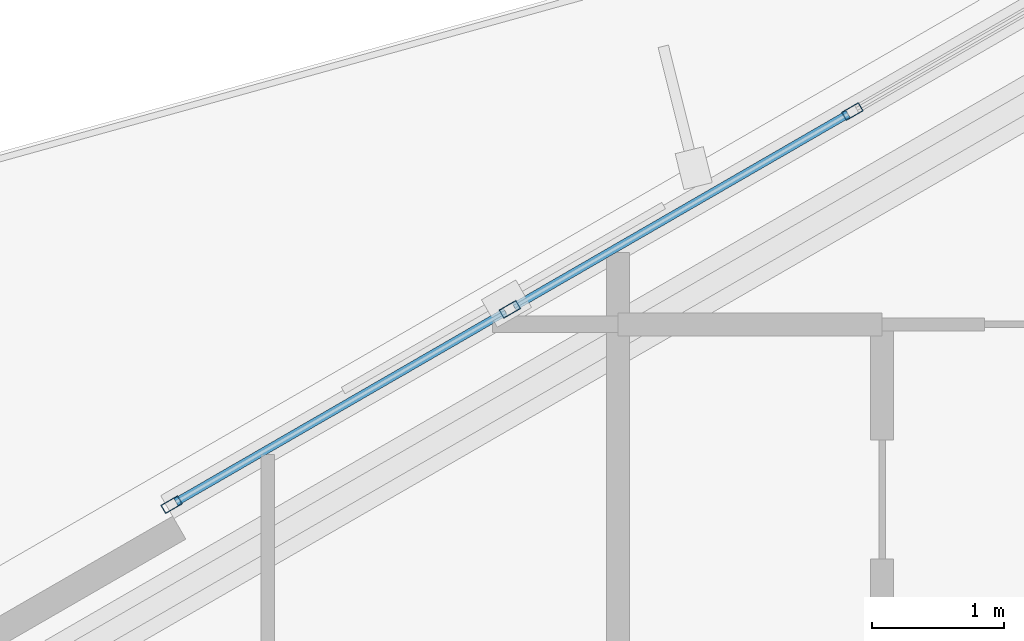
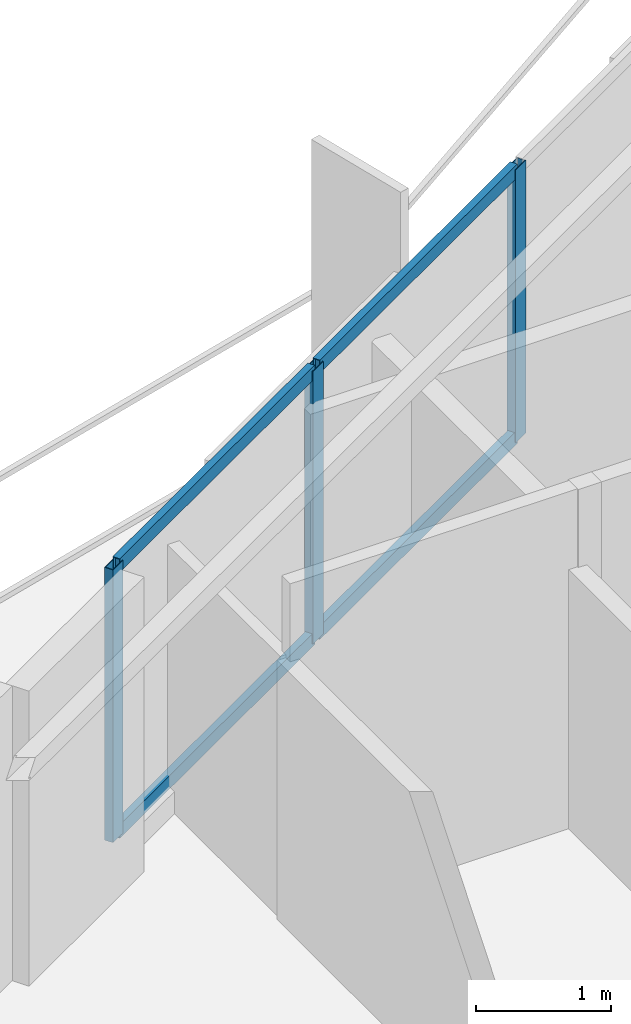
# One storey, part 7 of 19: 7 members, 1 element without a shape of its own.
"""IFC4 building model written with IfcOpenShell, lengths in metres."""

from ifc_helpers import new_model, si_unit, direction, frame, origin, origin_2d, place, context, subcontext, project, spatial, hollow_rectangle, extrude, material, layer, layer_set, material_profile, profile_set, type_object, element, aggregate, save


model = new_model("IFC4")

# Units and contexts
model_context = context("Model", 3, precision=1e-05, world=origin(), true_north=direction((0.0, 1.0)))
body_context = subcontext(model_context, "Body", "Model", "MODEL_VIEW")
ifc_project = project(units=[si_unit("LENGTHUNIT", "METRE"), si_unit("AREAUNIT", "SQUARE_METRE"), si_unit("VOLUMEUNIT", "CUBIC_METRE"), si_unit("PLANEANGLEUNIT", "RADIAN"), si_unit("MASSUNIT", "GRAM", prefix="KILO")], contexts=[model_context])

# Site, building, storey
site_placement = place(None, origin())
site = spatial("IfcSite", under=ifc_project, at=site_placement, CompositionType="ELEMENT")
building_placement = place(site_placement, origin())
building = spatial("IfcBuilding", under=site, at=building_placement, Name="Mersakhor Tower and Convention Hall", CompositionType="ELEMENT")
storey_placement = place(building_placement, frame((0.0, 0.0, 42.300048828125)))
storey = spatial("IfcBuildingStorey", under=building, at=storey_placement, Name="L11", CompositionType="ELEMENT", Elevation=42.300048828125)

# Curtain wall, members
ifc_material_1 = material(Name="Dark solar low-E aluminium curtain wall", Category="aluminium")
ifc_layer = layer(ifc_material_1, 0.159912109375)
ifc_layer_set = layer_set([ifc_layer], Name="Dark solar low-E aluminium curtain wall")
curtain_wall_type = type_object("IfcCurtainWallType", Name="CW-SYS-01", PredefinedType="USERDEFINED", material=ifc_layer_set)
curtain_wall_placement = place(storey_placement, origin())
curtain_wall = element("IfcCurtainWall", 1, at=curtain_wall_placement, inside=storey, type_object=curtain_wall_type, Name="L11 Dark-Glass Curtain Wall F1-B2", ObjectType="CURTAIN WALL", PredefinedType="USERDEFINED")
ifc_material_2 = material(Name="Anodised aluminium EN AW-6063 T6", Category="aluminium")
ifc_material_profile_1 = material_profile(ifc_material_2, hollow_rectangle(XDim=0.074951171875, YDim=0.14990234375, WallThickness=0.00634765625, at=origin_2d()), Name="RHS 150x75x6.3")
ifc_profile_set_1 = profile_set([ifc_material_profile_1], Name="Anodised aluminium EN AW-6063 T6")
member_type_1 = type_object("IfcMemberType", Name="CWM-150x75", PredefinedType="MULLION", material=ifc_profile_set_1)
member_1_placement = place(storey_placement, frame((16.423095703125, 36.635986328125, 0.199951171875), z_axis=(0.0, 0.0, 1.0), x_axis=(-0.50000344889, 0.866023412558, 0.0)))
member_1 = element("IfcMember", 2, at=member_1_placement, type_object=member_type_1, Name="CW-01 mullion 1", PredefinedType="MULLION", context=body_context, shape_type="SweptSolid", body=[
    extrude(hollow_rectangle(XDim=0.074951171875, YDim=0.14990234375, WallThickness=0.00634765625, at=origin_2d()), origin(), (0.0, 0.0, 1.0), 2.4599609375),
])
member_2_placement = place(storey_placement, frame((18.982666015625, 38.11376953125, 0.199951171875), z_axis=(0.0, 0.0, 1.0), x_axis=(-0.50000344889, 0.866023412558, 0.0)))
member_2 = element("IfcMember", 3, at=member_2_placement, type_object=member_type_1, Name="CW-01 mullion 2", PredefinedType="MULLION", context=body_context, shape_type="SweptSolid", body=[
    extrude(hollow_rectangle(XDim=0.074951171875, YDim=0.14990234375, WallThickness=0.00634765625, at=origin_2d()), origin(), (0.0, 0.0, 1.0), 2.4599609375),
])
member_3_placement = place(storey_placement, frame((21.574951171875, 39.610595703125, 0.199951171875), z_axis=(0.0, 0.0, 1.0), x_axis=(-0.50000344889, 0.866023412558, 0.0)))
member_3 = element("IfcMember", 4, at=member_3_placement, type_object=member_type_1, Name="CW-01 mullion 3", PredefinedType="MULLION", context=body_context, shape_type="SweptSolid", body=[
    extrude(hollow_rectangle(XDim=0.074951171875, YDim=0.14990234375, WallThickness=0.00634765625, at=origin_2d()), origin(), (0.0, 0.0, 1.0), 2.4599609375),
])
ifc_material_3 = material(Name="Anodised aluminium EN AW-6063 T6", Category="aluminium")
ifc_material_profile_2 = material_profile(ifc_material_3, hollow_rectangle(XDim=0.06005859375, YDim=0.1201171875, WallThickness=0.0048828125, at=origin_2d()), Name="RHS 120x60x5")
ifc_profile_set_2 = profile_set([ifc_material_profile_2], Name="Anodised aluminium EN AW-6063 T6")
member_type_2 = type_object("IfcMemberType", Name="CWT-120x60", PredefinedType="USERDEFINED", material=ifc_profile_set_2)
member_4_placement = place(storey_placement, frame((16.45556640625, 36.65478515625, 0.22998046875), z_axis=(0.866002100865, 0.500040359669, 0.0), x_axis=(-0.500040359669, 0.866002100865, 0.0)))
member_4 = element("IfcMember", 5, at=member_4_placement, type_object=member_type_2, Name="CW-01 transom 1.1", ObjectType="TRANSOM", PredefinedType="USERDEFINED", context=body_context, shape_type="SweptSolid", body=[
    extrude(hollow_rectangle(XDim=0.06005859375, YDim=0.1201171875, WallThickness=0.0048828125, at=origin_2d()), origin(), (0.0, 0.0, 1.0), 2.880615234375),
])
member_5_placement = place(storey_placement, frame((16.45556640625, 36.65478515625, 2.6298828125), z_axis=(0.866002100865, 0.500040359669, 0.0), x_axis=(-0.500040359669, 0.866002100865, 0.0)))
member_5 = element("IfcMember", 6, at=member_5_placement, type_object=member_type_2, Name="CW-01 transom 1.2", ObjectType="TRANSOM", PredefinedType="USERDEFINED", context=body_context, shape_type="SweptSolid", body=[
    extrude(hollow_rectangle(XDim=0.06005859375, YDim=0.1201171875, WallThickness=0.0048828125, at=origin_2d()), origin(), (0.0, 0.0, 1.0), 2.880615234375),
])
member_6_placement = place(storey_placement, frame((19.01513671875, 38.132568359375, 0.22998046875), z_axis=(0.866015622527, 0.500016941252, 0.0), x_axis=(-0.500016941252, 0.866015622527, 0.0)))
member_6 = element("IfcMember", 7, at=member_6_placement, type_object=member_type_2, Name="CW-01 transom 2.1", ObjectType="TRANSOM", PredefinedType="USERDEFINED", context=body_context, shape_type="SweptSolid", body=[
    extrude(hollow_rectangle(XDim=0.06005859375, YDim=0.1201171875, WallThickness=0.0048828125, at=origin_2d()), origin(), (0.0, 0.0, 1.0), 2.91845703125),
])
member_7_placement = place(storey_placement, frame((19.01513671875, 38.132568359375, 2.6298828125), z_axis=(0.866015622527, 0.500016941252, 0.0), x_axis=(-0.500016941252, 0.866015622527, 0.0)))
member_7 = element("IfcMember", 8, at=member_7_placement, type_object=member_type_2, Name="CW-01 transom 2.2", ObjectType="TRANSOM", PredefinedType="USERDEFINED", context=body_context, shape_type="SweptSolid", body=[
    extrude(hollow_rectangle(XDim=0.06005859375, YDim=0.1201171875, WallThickness=0.0048828125, at=origin_2d()), origin(), (0.0, 0.0, 1.0), 2.91845703125),
])
aggregate(curtain_wall, [member_1, member_2, member_3, member_4, member_5, member_6, member_7])

save(model, "model.ifc")
